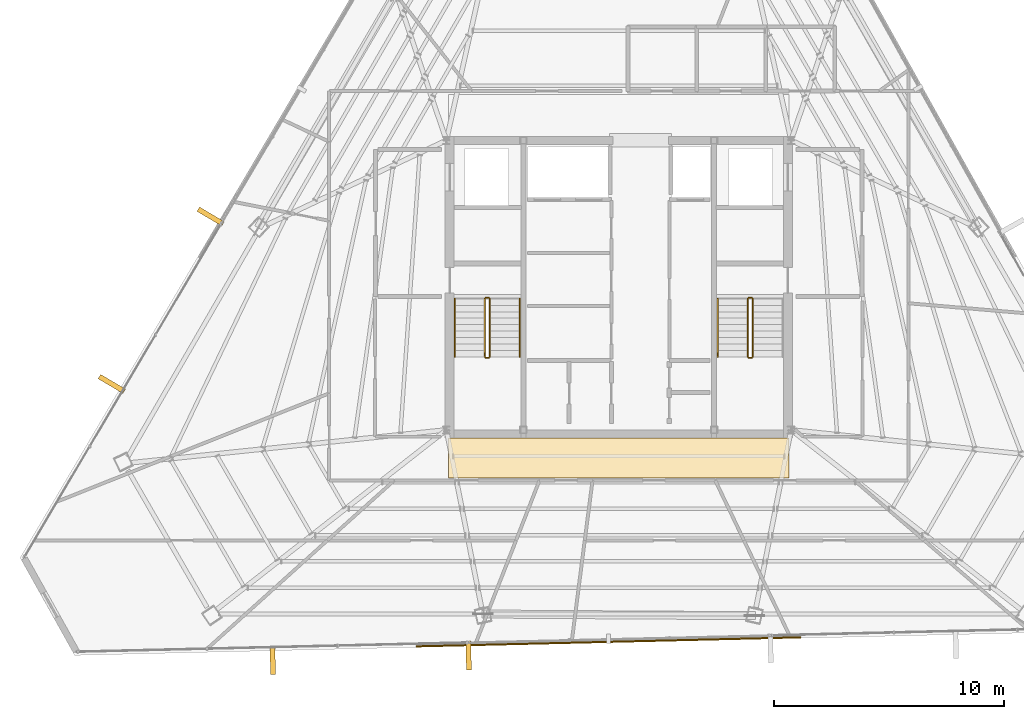
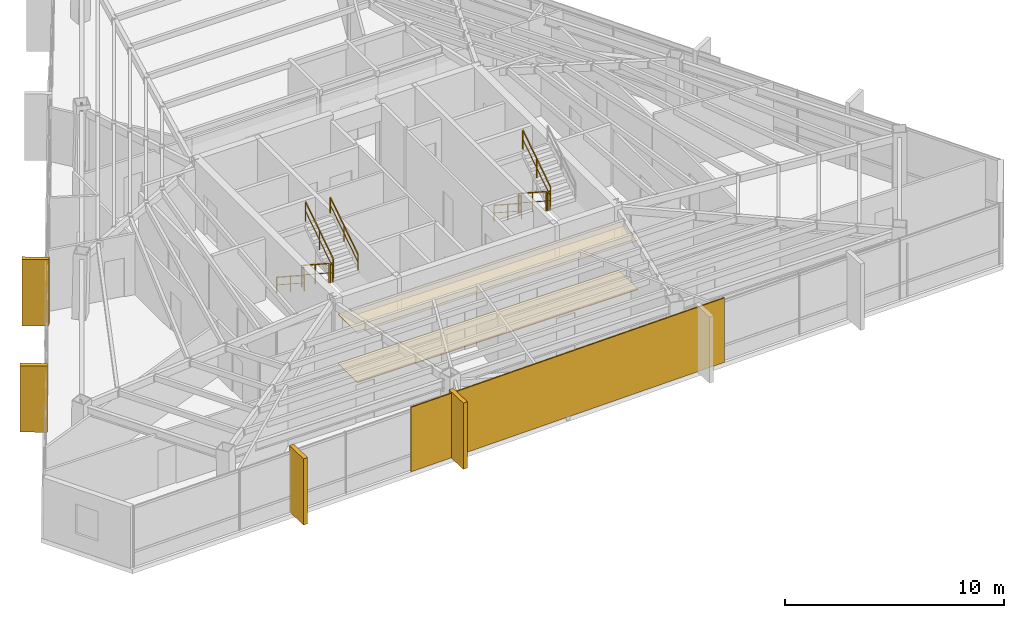
# One storey, part 46 of 47: 11 railings, 6 coverings, 1 shading device.
"""IFC4 building model written with IfcOpenShell, lengths in metres."""

from ifc_helpers import new_model, si_unit, direction, frame, origin, origin_2d, place, context, subcontext, project, spatial, polyline, rectangle, outline, extrude, source, transform, mapped, material, layer, layer_set, type_object, type_shapes, element, save


model = new_model("IFC4")

# Units and contexts
model_context = context("Model", 3, precision=1e-05, world=origin(), true_north=direction((0.0, 1.0)))
body_context = subcontext(model_context, "Body", "Model", "MODEL_VIEW")
ifc_project = project(units=[si_unit("LENGTHUNIT", "METRE"), si_unit("AREAUNIT", "SQUARE_METRE"), si_unit("VOLUMEUNIT", "CUBIC_METRE"), si_unit("PLANEANGLEUNIT", "RADIAN"), si_unit("MASSUNIT", "GRAM", prefix="KILO")], contexts=[model_context])

# Site, building, storey
site_placement = place(None, origin())
site = spatial("IfcSite", under=ifc_project, at=site_placement, CompositionType="ELEMENT")
building_placement = place(site_placement, origin())
building = spatial("IfcBuilding", under=site, at=building_placement, Name="Caelisora Broadcast Tower", CompositionType="ELEMENT")
storey_placement = place(building_placement, frame((0.0, 0.0, 255.39990234375)))
storey = spatial("IfcBuildingStorey", under=building, at=storey_placement, Name="L67", CompositionType="ELEMENT", Elevation=255.39990234375)

# Coverings
ifc_material_1 = material(Name="Perforated Mineral-Fibre Acoustic Ceiling Tile", Category="gypsum")
ifc_layer_1 = layer(ifc_material_1, 0.034912109375, Name="Perforated Mineral-Fibre Acoustic Ceiling Tile")
ifc_layer_set_1 = layer_set([ifc_layer_1], Name="Perforated Mineral-Fibre Acoustic Ceiling Tile")
covering_type_1 = type_object("IfcCoveringType", Name="CE-1", PredefinedType="CEILING", material=ifc_layer_set_1)
covering_1_placement = place(storey_placement, frame((0.0, 0.0, 2.75)))
element("IfcCovering", 1, at=covering_1_placement, inside=storey, type_object=covering_type_1, Name="L67 acoustic corridor ceiling CE-1 (S)", PredefinedType="CEILING", context=body_context, shape_type="SweptSolid", body=[
    extrude(outline(polyline([(30.60009765625, 15.300048828125), (45.39990234375, 15.300048828125), (45.39990234375, 17.050048828125), (30.60009765625, 17.050048828125), (30.60009765625, 15.300048828125)])), origin(), (0.0, 0.0, 1.0), 0.03515625),
])
ifc_material_2 = material(Name="Anti-Static Broadcast Raised Access Floor Panel", Category="steel")
ifc_layer_2 = layer(ifc_material_2, 0.044921875, Name="Anti-Static Broadcast Raised Access Floor Panel")
ifc_layer_set_2 = layer_set([ifc_layer_2], Name="Anti-Static Broadcast Raised Access Floor Panel")
covering_type_2 = type_object("IfcCoveringType", Name="FL-1", PredefinedType="FLOORING", material=ifc_layer_set_2)
covering_2_placement = place(storey_placement, origin())
element("IfcCovering", 2, at=covering_2_placement, inside=storey, type_object=covering_type_2, Name="L67 broadcast raised access floor FL-1 (S)", PredefinedType="FLOORING", context=body_context, shape_type="SweptSolid", body=[
    extrude(outline(polyline([(30.60009765625, 15.300048828125), (45.39990234375, 15.300048828125), (45.39990234375, 17.050048828125), (30.60009765625, 17.050048828125), (30.60009765625, 15.300048828125)])), origin(), (0.0, 0.0, 1.0), 0.045166015625),
])

# Railings
ifc_material_3 = material(Name="Galvanised Steel Safety Guardrail", Category="steel")
ifc_layer_3 = layer(ifc_material_3, 0.048095703125, Name="Galvanised Steel Safety Guardrail")
ifc_layer_set_3 = layer_set([ifc_layer_3], Name="Galvanised Steel Safety Guardrail")
railing_type_1 = type_object("IfcRailingType", Name="GR-1", PredefinedType="GUARDRAIL", material=ifc_layer_set_3)
railing_1_placement = place(storey_placement, frame((32.169921875, 23.10009765625, 0.1826171875)))
element("IfcRailing", 3, at=railing_1_placement, inside=storey, type_object=railing_type_1, Name="L67 ST-1 stair guard 1", PredefinedType="GUARDRAIL", context=body_context, shape_type="SweptSolid", body=[
    extrude(rectangle(XDim=0.048095703125, YDim=0.048095703125, at=origin_2d()), frame((0.0, 0.0, 1.076171875), z_axis=(0.0, -0.837749427056, 0.546054848405), x_axis=(1.0, 0.0, 0.0)), (0.0, 0.0, 1.0), 3.008056640625),
    extrude(rectangle(XDim=0.03125, YDim=0.03125, at=origin_2d()), frame((0.0, 0.0, 0.550048828125), z_axis=(0.0, -0.837749427056, 0.546054848405), x_axis=(1.0, 0.0, 0.0)), (0.0, 0.0, 1.0), 3.008056640625),
    extrude(rectangle(XDim=0.0419921875, YDim=0.0419921875, at=origin_2d()), origin(), (0.0, 0.0, 1.0), 1.052001953125),
    extrude(rectangle(XDim=0.0419921875, YDim=0.0419921875, at=origin_2d()), frame((0.0, -1.260009765625, 0.8212890625)), (0.0, 0.0, 1.0), 1.052001953125),
    extrude(rectangle(XDim=0.0419921875, YDim=0.0419921875, at=origin_2d()), frame((0.0, -2.52001953125, 1.642578125)), (0.0, 0.0, 1.0), 1.052001953125),
])
railing_2_placement = place(storey_placement, frame((32.219970703125, 20.530029296875, 1.8251953125)))
element("IfcRailing", 4, at=railing_2_placement, inside=storey, type_object=railing_type_1, Name="L67 ST-1 stair guard 2", PredefinedType="GUARDRAIL", context=body_context, shape_type="SweptSolid", body=[
    extrude(rectangle(XDim=0.048095703125, YDim=0.048095703125, at=origin_2d()), frame((0.0, 0.0, 1.076171875), z_axis=(1.0, 0.0, 0.0), x_axis=(0.0, 1.0, 0.0)), (0.0, 0.0, 1.0), 0.1201171875),
    extrude(rectangle(XDim=0.03125, YDim=0.03125, at=origin_2d()), frame((0.0, 0.0, 0.550048828125), z_axis=(1.0, 0.0, 0.0), x_axis=(0.0, 1.0, 0.0)), (0.0, 0.0, 1.0), 0.1201171875),
    extrude(rectangle(XDim=0.0419921875, YDim=0.0419921875, at=origin_2d()), origin(), (0.0, 0.0, 1.0), 1.052001953125),
    extrude(rectangle(XDim=0.0419921875, YDim=0.0419921875, at=origin_2d()), frame((0.1201171875, 0.0, 0.0)), (0.0, 0.0, 1.0), 1.052001953125),
])
railing_3_placement = place(storey_placement, frame((32.389892578125, 20.580078125, 2.007568359375)))
element("IfcRailing", 5, at=railing_3_placement, inside=storey, type_object=railing_type_1, Name="L67 ST-1 stair guard 3", PredefinedType="GUARDRAIL", context=body_context, shape_type="SweptSolid", body=[
    extrude(rectangle(XDim=0.048095703125, YDim=0.048095703125, at=origin_2d()), frame((0.0, 0.0, 1.076171875), z_axis=(0.0, 0.837749427056, 0.546054848405), x_axis=(-1.0, 0.0, 0.0)), (0.0, 0.0, 1.0), 3.008056640625),
    extrude(rectangle(XDim=0.03125, YDim=0.03125, at=origin_2d()), frame((0.0, 0.0, 0.550048828125), z_axis=(0.0, 0.837749427056, 0.546054848405), x_axis=(-1.0, 0.0, 0.0)), (0.0, 0.0, 1.0), 3.008056640625),
    extrude(rectangle(XDim=0.0419921875, YDim=0.0419921875, at=origin_2d()), origin(), (0.0, 0.0, 1.0), 1.052001953125),
    extrude(rectangle(XDim=0.0419921875, YDim=0.0419921875, at=origin_2d()), frame((0.0, 1.260009765625, 0.8212890625)), (0.0, 0.0, 1.0), 1.052001953125),
    extrude(rectangle(XDim=0.0419921875, YDim=0.0419921875, at=origin_2d()), frame((0.0, 2.52001953125, 1.642578125)), (0.0, 0.0, 1.0), 1.052001953125),
])
railing_4_placement = place(storey_placement, frame((32.219970703125, 23.14990234375, 0.0)))
element("IfcRailing", 6, at=railing_4_placement, inside=storey, type_object=railing_type_1, Name="L67 ST-1 stair guard 4", PredefinedType="GUARDRAIL", context=body_context, shape_type="SweptSolid", body=[
    extrude(rectangle(XDim=0.048095703125, YDim=0.048095703125, at=origin_2d()), frame((0.0, 0.0, 1.076171875), z_axis=(1.0, 0.0, 0.0), x_axis=(0.0, 1.0, 0.0)), (0.0, 0.0, 1.0), 0.1201171875),
    extrude(rectangle(XDim=0.03125, YDim=0.03125, at=origin_2d()), frame((0.0, 0.0, 0.550048828125), z_axis=(1.0, 0.0, 0.0), x_axis=(0.0, 1.0, 0.0)), (0.0, 0.0, 1.0), 0.1201171875),
    extrude(rectangle(XDim=0.0419921875, YDim=0.0419921875, at=origin_2d()), origin(), (0.0, 0.0, 1.0), 1.052001953125),
    extrude(rectangle(XDim=0.0419921875, YDim=0.0419921875, at=origin_2d()), frame((0.1201171875, 0.0, 0.0)), (0.0, 0.0, 1.0), 1.052001953125),
])
railing_5_placement = place(storey_placement, frame((43.610107421875, 23.10009765625, 0.1826171875)))
element("IfcRailing", 7, at=railing_5_placement, inside=storey, type_object=railing_type_1, Name="L67 ST-2 stair guard 1", PredefinedType="GUARDRAIL", context=body_context, shape_type="SweptSolid", body=[
    extrude(rectangle(XDim=0.048095703125, YDim=0.048095703125, at=origin_2d()), frame((0.0, 0.0, 1.076171875), z_axis=(0.0, -0.837749427056, 0.546054848405), x_axis=(1.0, 0.0, 0.0)), (0.0, 0.0, 1.0), 3.008056640625),
    extrude(rectangle(XDim=0.03125, YDim=0.03125, at=origin_2d()), frame((0.0, 0.0, 0.550048828125), z_axis=(0.0, -0.837749427056, 0.546054848405), x_axis=(1.0, 0.0, 0.0)), (0.0, 0.0, 1.0), 3.008056640625),
    extrude(rectangle(XDim=0.0419921875, YDim=0.0419921875, at=origin_2d()), origin(), (0.0, 0.0, 1.0), 1.052001953125),
    extrude(rectangle(XDim=0.0419921875, YDim=0.0419921875, at=origin_2d()), frame((0.0, -1.260009765625, 0.8212890625)), (0.0, 0.0, 1.0), 1.052001953125),
    extrude(rectangle(XDim=0.0419921875, YDim=0.0419921875, at=origin_2d()), frame((0.0, -2.52001953125, 1.642578125)), (0.0, 0.0, 1.0), 1.052001953125),
])
railing_6_placement = place(storey_placement, frame((43.659912109375, 20.530029296875, 1.8251953125)))
element("IfcRailing", 8, at=railing_6_placement, inside=storey, type_object=railing_type_1, Name="L67 ST-2 stair guard 2", PredefinedType="GUARDRAIL", context=body_context, shape_type="SweptSolid", body=[
    extrude(rectangle(XDim=0.048095703125, YDim=0.048095703125, at=origin_2d()), frame((0.0, 0.0, 1.076171875), z_axis=(1.0, 0.0, 0.0), x_axis=(0.0, 1.0, 0.0)), (0.0, 0.0, 1.0), 0.1201171875),
    extrude(rectangle(XDim=0.03125, YDim=0.03125, at=origin_2d()), frame((0.0, 0.0, 0.550048828125), z_axis=(1.0, 0.0, 0.0), x_axis=(0.0, 1.0, 0.0)), (0.0, 0.0, 1.0), 0.1201171875),
    extrude(rectangle(XDim=0.0419921875, YDim=0.0419921875, at=origin_2d()), origin(), (0.0, 0.0, 1.0), 1.052001953125),
    extrude(rectangle(XDim=0.0419921875, YDim=0.0419921875, at=origin_2d()), frame((0.1201171875, 0.0, 0.0)), (0.0, 0.0, 1.0), 1.052001953125),
])
railing_7_placement = place(storey_placement, frame((43.830078125, 20.580078125, 2.007568359375)))
element("IfcRailing", 9, at=railing_7_placement, inside=storey, type_object=railing_type_1, Name="L67 ST-2 stair guard 3", PredefinedType="GUARDRAIL", context=body_context, shape_type="SweptSolid", body=[
    extrude(rectangle(XDim=0.048095703125, YDim=0.048095703125, at=origin_2d()), frame((0.0, 0.0, 1.076171875), z_axis=(0.0, 0.837749427056, 0.546054848405), x_axis=(-1.0, 0.0, 0.0)), (0.0, 0.0, 1.0), 3.008056640625),
    extrude(rectangle(XDim=0.03125, YDim=0.03125, at=origin_2d()), frame((0.0, 0.0, 0.550048828125), z_axis=(0.0, 0.837749427056, 0.546054848405), x_axis=(-1.0, 0.0, 0.0)), (0.0, 0.0, 1.0), 3.008056640625),
    extrude(rectangle(XDim=0.0419921875, YDim=0.0419921875, at=origin_2d()), origin(), (0.0, 0.0, 1.0), 1.052001953125),
    extrude(rectangle(XDim=0.0419921875, YDim=0.0419921875, at=origin_2d()), frame((0.0, 1.260009765625, 0.8212890625)), (0.0, 0.0, 1.0), 1.052001953125),
    extrude(rectangle(XDim=0.0419921875, YDim=0.0419921875, at=origin_2d()), frame((0.0, 2.52001953125, 1.642578125)), (0.0, 0.0, 1.0), 1.052001953125),
])
railing_8_placement = place(storey_placement, frame((43.659912109375, 23.14990234375, 0.0)))
element("IfcRailing", 10, at=railing_8_placement, inside=storey, type_object=railing_type_1, Name="L67 ST-2 stair guard 4", PredefinedType="GUARDRAIL", context=body_context, shape_type="SweptSolid", body=[
    extrude(rectangle(XDim=0.048095703125, YDim=0.048095703125, at=origin_2d()), frame((0.0, 0.0, 1.076171875), z_axis=(1.0, 0.0, 0.0), x_axis=(0.0, 1.0, 0.0)), (0.0, 0.0, 1.0), 0.1201171875),
    extrude(rectangle(XDim=0.03125, YDim=0.03125, at=origin_2d()), frame((0.0, 0.0, 0.550048828125), z_axis=(1.0, 0.0, 0.0), x_axis=(0.0, 1.0, 0.0)), (0.0, 0.0, 1.0), 0.1201171875),
    extrude(rectangle(XDim=0.0419921875, YDim=0.0419921875, at=origin_2d()), origin(), (0.0, 0.0, 1.0), 1.052001953125),
    extrude(rectangle(XDim=0.0419921875, YDim=0.0419921875, at=origin_2d()), frame((0.1201171875, 0.0, 0.0)), (0.0, 0.0, 1.0), 1.052001953125),
])
ifc_material_4 = material(Name="Stainless Steel Grade 316 Tubular Handrail", Category="steel")
ifc_layer_4 = layer(ifc_material_4, 0.048095703125, Name="Stainless Steel Grade 316 Tubular Handrail")
ifc_layer_set_4 = layer_set([ifc_layer_4], Name="Stainless Steel Grade 316 Tubular Handrail")
railing_type_2 = type_object("IfcRailingType", Name="HR-1", PredefinedType="HANDRAIL", material=ifc_layer_set_4)
railing_9_placement = place(storey_placement, frame((30.8701171875, 23.10009765625, 0.1826171875)))
element("IfcRailing", 11, at=railing_9_placement, inside=storey, type_object=railing_type_2, Name="L67 ST-1 stair handrail 1", PredefinedType="HANDRAIL", context=body_context, shape_type="SweptSolid", body=[
    extrude(rectangle(XDim=0.048095703125, YDim=0.048095703125, at=origin_2d()), frame((0.0, 0.0, 0.8759765625), z_axis=(0.0, -0.837749427056, 0.546054848405), x_axis=(1.0, 0.0, 0.0)), (0.0, 0.0, 1.0), 3.008056640625),
    extrude(rectangle(XDim=0.03125, YDim=0.03125, at=origin_2d()), frame((0.0, 0.0, 0.449951171875), z_axis=(0.0, -0.837749427056, 0.546054848405), x_axis=(1.0, 0.0, 0.0)), (0.0, 0.0, 1.0), 3.008056640625),
    extrude(rectangle(XDim=0.0419921875, YDim=0.0419921875, at=origin_2d()), origin(), (0.0, 0.0, 1.0), 0.851806640625),
    extrude(rectangle(XDim=0.0419921875, YDim=0.0419921875, at=origin_2d()), frame((0.0, -1.260009765625, 0.8212890625)), (0.0, 0.0, 1.0), 0.851806640625),
    extrude(rectangle(XDim=0.0419921875, YDim=0.0419921875, at=origin_2d()), frame((0.0, -2.52001953125, 1.642578125)), (0.0, 0.0, 1.0), 0.851806640625),
])
railing_10_placement = place(storey_placement, frame((33.68994140625, 20.580078125, 2.007568359375)))
element("IfcRailing", 12, at=railing_10_placement, inside=storey, type_object=railing_type_2, Name="L67 ST-1 stair handrail 2", PredefinedType="HANDRAIL", context=body_context, shape_type="SweptSolid", body=[
    extrude(rectangle(XDim=0.048095703125, YDim=0.048095703125, at=origin_2d()), frame((0.0, 0.0, 0.8759765625), z_axis=(0.0, 0.837749427056, 0.546054848405), x_axis=(-1.0, 0.0, 0.0)), (0.0, 0.0, 1.0), 3.008056640625),
    extrude(rectangle(XDim=0.03125, YDim=0.03125, at=origin_2d()), frame((0.0, 0.0, 0.449951171875), z_axis=(0.0, 0.837749427056, 0.546054848405), x_axis=(-1.0, 0.0, 0.0)), (0.0, 0.0, 1.0), 3.008056640625),
    extrude(rectangle(XDim=0.0419921875, YDim=0.0419921875, at=origin_2d()), origin(), (0.0, 0.0, 1.0), 0.851806640625),
    extrude(rectangle(XDim=0.0419921875, YDim=0.0419921875, at=origin_2d()), frame((0.0, 1.260009765625, 0.8212890625)), (0.0, 0.0, 1.0), 0.851806640625),
    extrude(rectangle(XDim=0.0419921875, YDim=0.0419921875, at=origin_2d()), frame((0.0, 2.52001953125, 1.642578125)), (0.0, 0.0, 1.0), 0.851806640625),
])
railing_11_placement = place(storey_placement, frame((42.31005859375, 23.10009765625, 0.1826171875)))
element("IfcRailing", 13, at=railing_11_placement, inside=storey, type_object=railing_type_2, Name="L67 ST-2 stair handrail 1", PredefinedType="HANDRAIL", context=body_context, shape_type="SweptSolid", body=[
    extrude(rectangle(XDim=0.048095703125, YDim=0.048095703125, at=origin_2d()), frame((0.0, 0.0, 0.8759765625), z_axis=(0.0, -0.837749427056, 0.546054848405), x_axis=(1.0, 0.0, 0.0)), (0.0, 0.0, 1.0), 3.008056640625),
    extrude(rectangle(XDim=0.03125, YDim=0.03125, at=origin_2d()), frame((0.0, 0.0, 0.449951171875), z_axis=(0.0, -0.837749427056, 0.546054848405), x_axis=(1.0, 0.0, 0.0)), (0.0, 0.0, 1.0), 3.008056640625),
    extrude(rectangle(XDim=0.0419921875, YDim=0.0419921875, at=origin_2d()), origin(), (0.0, 0.0, 1.0), 0.851806640625),
    extrude(rectangle(XDim=0.0419921875, YDim=0.0419921875, at=origin_2d()), frame((0.0, -1.260009765625, 0.8212890625)), (0.0, 0.0, 1.0), 0.851806640625),
    extrude(rectangle(XDim=0.0419921875, YDim=0.0419921875, at=origin_2d()), frame((0.0, -2.52001953125, 1.642578125)), (0.0, 0.0, 1.0), 0.851806640625),
])

# Coverings
ifc_material_5 = material(Name="Kiln-Fired Terracotta Spandrel Rainscreen Cladding", Category="ceramic")
ifc_layer_5 = layer(ifc_material_5, 0.044921875, Name="Kiln-Fired Terracotta Spandrel Rainscreen Cladding")
ifc_layer_set_5 = layer_set([ifc_layer_5], Name="Kiln-Fired Terracotta Spandrel Rainscreen Cladding")
covering_type_3 = type_object("IfcCoveringType", Name="CL-1", PredefinedType="CLADDING", material=ifc_layer_set_5)
shared_shape_1 = source(origin(), body_context, "Body", "SweptSolid", [
    extrude(rectangle(XDim=0.219970703125, YDim=1.25, at=origin_2d()), origin(), (0.0, 0.0, 1.0), 3.68994140625),
])
type_shapes(covering_type_3, [shared_shape_1])
for number, where, z_axis, x_axis, name in (
    (14, (31.465576171875, 7.579833984375, -0.019775390625), (0.0, 0.0, 1.0), (-0.999722430218, -0.023559764834, 0.0), "L67 vertical solar fin cladding #2-3"),
    (15, (22.94140625, 7.37841796875, -0.019775390625), (0.0, 0.0, 1.0), (-0.999722430218, -0.023559764834, 0.0), "L67 vertical solar fin cladding #2-4"),
    (16, (15.934814453125, 19.400390625, -0.019775390625), (0.0, 0.0, 1.0), (0.508440380454, 0.861097195167, 0.0), "L67 vertical solar fin cladding #3-1"),
    (17, (20.23681640625, 26.686279296875, -0.019775390625), (0.0, 0.0, 1.0), (0.508440380454, 0.861097195167, 0.0), "L67 vertical solar fin cladding #3-2"),
):
    element("IfcCovering", number, at=place(storey_placement, frame(where, z_axis=z_axis, x_axis=x_axis)), inside=storey, type_object=covering_type_3, Name=name, PredefinedType="CLADDING", context=body_context, shape_type="MappedRepresentation", body=[
        mapped(shared_shape_1, transform((0.0, 0.0, 0.0), scale=1.0)),
    ])

# Shading device
ifc_material_6 = material(Name="Perforated Glazed Terracotta Baguette Solar Screen", Category="ceramic")
ifc_layer_6 = layer(ifc_material_6, 0.06494140625, Name="Perforated Glazed Terracotta Baguette Solar Screen")
ifc_layer_set_6 = layer_set([ifc_layer_6], Name="Perforated Glazed Terracotta Baguette Solar Screen")
shading_device_type = type_object("IfcShadingDeviceType", Name="SS-1", PredefinedType="USERDEFINED", material=ifc_layer_set_6)
shared_shape_2 = source(origin(), body_context, "Body", "SweptSolid", [
    extrude(rectangle(XDim=16.740966796875, YDim=0.06494140625, at=origin_2d()), origin(), (0.0, 0.0, 1.0), 3.590087890625),
])
type_shapes(shading_device_type, [shared_shape_2])
shading_device_placement = place(storey_placement, frame((37.56103515625, 8.174072265625, 0.0), z_axis=(0.0, 0.0, 1.0), x_axis=(0.999722430218, 0.023559764834, 0.0)))
element("IfcShadingDevice", 18, at=shading_device_placement, inside=storey, type_object=shading_device_type, Name="L67 perforated terracotta solar screen #2", ObjectType="SOLAR SCREEN", PredefinedType="USERDEFINED", context=body_context, shape_type="MappedRepresentation", body=[
    mapped(shared_shape_2, transform((0.0, 0.0, 0.0), scale=1.0)),
])

save(model, "model.ifc")
